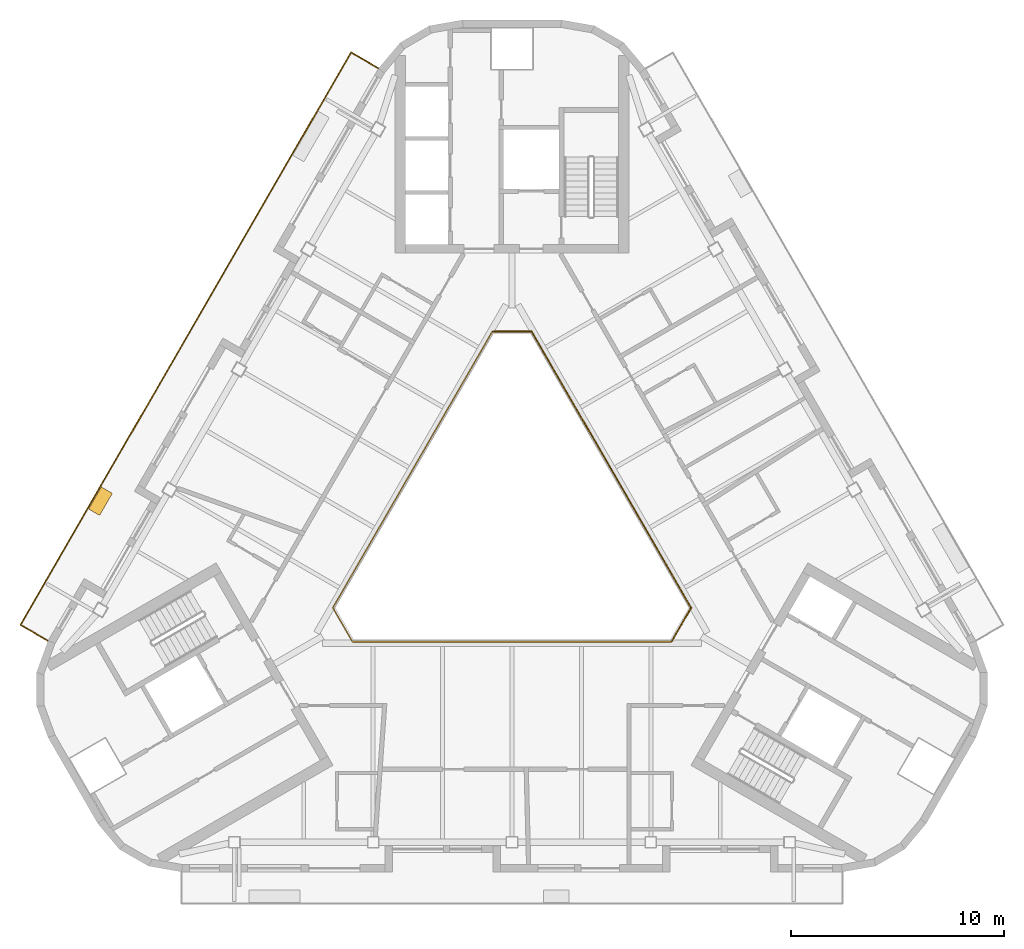
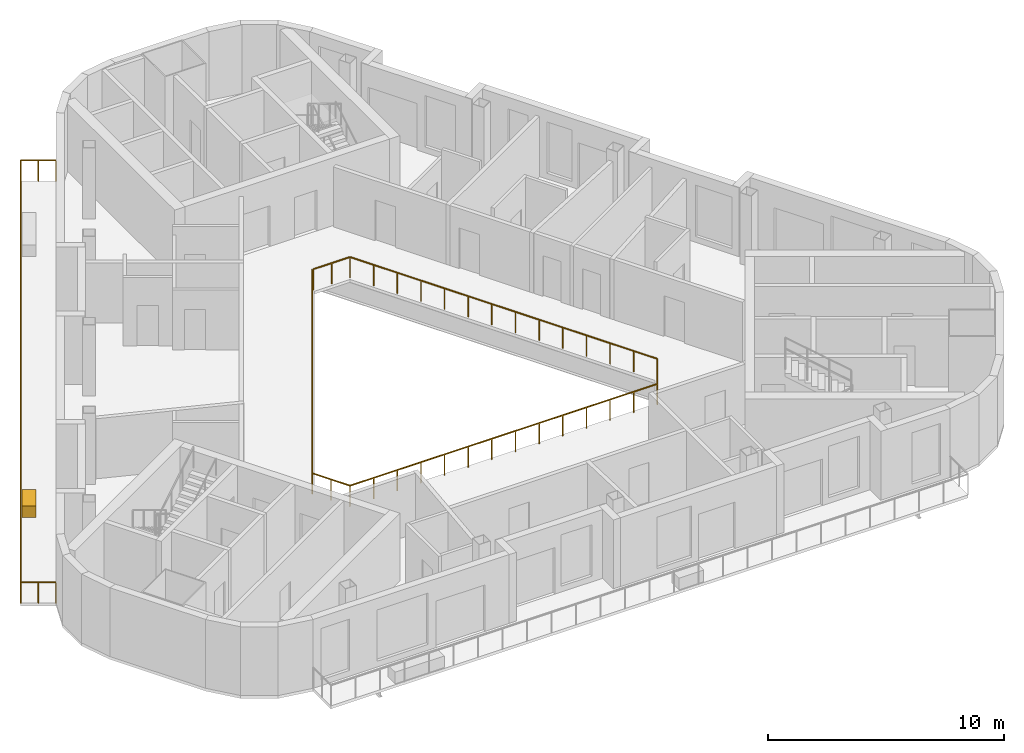
# One storey, part 9 of 11: 3 railings, 1 covering.
"""IFC4 building model written with IfcOpenShell, lengths in metres."""

from ifc_helpers import new_model, si_unit, direction, frame, origin, origin_2d, place, context, subcontext, project, spatial, rectangle, extrude, material, type_object, element, save


model = new_model("IFC4")

# Units and contexts
model_context = context("Model", 3, precision=1e-05, world=origin(), true_north=direction((0.0, 1.0)))
body_context = subcontext(model_context, "Body", "Model", "MODEL_VIEW")
ifc_project = project(units=[si_unit("LENGTHUNIT", "METRE"), si_unit("AREAUNIT", "SQUARE_METRE"), si_unit("VOLUMEUNIT", "CUBIC_METRE"), si_unit("PLANEANGLEUNIT", "RADIAN"), si_unit("MASSUNIT", "GRAM", prefix="KILO")], contexts=[model_context])

# Site, building, storey
site_placement = place(None, origin())
site = spatial("IfcSite", under=ifc_project, at=site_placement, CompositionType="ELEMENT")
building_placement = place(site_placement, origin())
building = spatial("IfcBuilding", under=site, at=building_placement, Name="Apuvela Tower Hotel", CompositionType="ELEMENT")
storey_placement = place(building_placement, frame((0.0, 0.0, 317.0)))
storey = spatial("IfcBuildingStorey", under=building, at=storey_placement, Name="L79", CompositionType="ELEMENT", Elevation=317.0)

# Railings
ifc_material_1 = material(Name="Stainless steel 316 rail with laminated glass infill", Category="steel")
railing_type = type_object("IfcRailingType", Name="ENV-GUARD-1100", PredefinedType="GUARDRAIL", material=ifc_material_1)
railing_1_placement = place(storey_placement, frame((-6.276123046875, 21.584228515625, 0.0)))
element("IfcRailing", 1, at=railing_1_placement, inside=storey, type_object=railing_type, Name="Balcony guard NW L79", PredefinedType="GUARDRAIL", context=body_context, shape_type="SweptSolid", body=[
    extrude(rectangle(XDim=0.050048828125, YDim=0.050048828125, at=origin_2d()), frame((0.0, 0.0, 1.0751953125), z_axis=(-0.866031096941, 0.499990139034, 0.0), x_axis=(-0.499990139034, -0.866031096941, 0.0)), (0.0, 0.0, 1.0), 1.5),
    extrude(rectangle(XDim=0.050048828125, YDim=0.050048828125, at=origin_2d()), frame((-1.299072265625, 0.75, 1.0751953125), z_axis=(-0.500002341412, -0.866024051966, 0.0), x_axis=(0.866024051966, -0.500002341412, 0.0)), (0.0, 0.0, 1.0), 31.108642578125),
    extrude(rectangle(XDim=0.050048828125, YDim=0.050048828125, at=origin_2d()), frame((-16.853515625, -26.19091796875, 1.0751953125), z_axis=(0.866031096941, -0.499990139034, 0.0), x_axis=(0.499990139034, 0.866031096941, 0.0)), (0.0, 0.0, 1.0), 1.5),
    extrude(rectangle(XDim=0.0400390625, YDim=0.0400390625, at=origin_2d()), origin(), (0.0, 0.0, 1.0), 1.050048828125),
    extrude(rectangle(XDim=0.0400390625, YDim=0.0400390625, at=origin_2d()), frame((-0.6494140625, 0.375, 0.0)), (0.0, 0.0, 1.0), 1.050048828125),
    extrude(rectangle(XDim=0.0400390625, YDim=0.0400390625, at=origin_2d()), frame((-1.299072265625, 0.75, 0.0)), (0.0, 0.0, 1.0), 1.050048828125),
    extrude(rectangle(XDim=0.0400390625, YDim=0.0400390625, at=origin_2d()), frame((-1.897216796875, -0.2861328125, 0.0)), (0.0, 0.0, 1.0), 1.050048828125),
    extrude(rectangle(XDim=0.0400390625, YDim=0.0400390625, at=origin_2d()), frame((-2.49560546875, -1.322265625, 0.0)), (0.0, 0.0, 1.0), 1.050048828125),
    extrude(rectangle(XDim=0.0400390625, YDim=0.0400390625, at=origin_2d()), frame((-3.09375, -2.358642578125, 0.0)), (0.0, 0.0, 1.0), 1.050048828125),
    extrude(rectangle(XDim=0.0400390625, YDim=0.0400390625, at=origin_2d()), frame((-3.692138671875, -3.394775390625, 0.0)), (0.0, 0.0, 1.0), 1.050048828125),
    extrude(rectangle(XDim=0.0400390625, YDim=0.0400390625, at=origin_2d()), frame((-4.290283203125, -4.430908203125, 0.0)), (0.0, 0.0, 1.0), 1.050048828125),
    extrude(rectangle(XDim=0.0400390625, YDim=0.0400390625, at=origin_2d()), frame((-4.888671875, -5.467041015625, 0.0)), (0.0, 0.0, 1.0), 1.050048828125),
    extrude(rectangle(XDim=0.0400390625, YDim=0.0400390625, at=origin_2d()), frame((-5.48681640625, -6.50341796875, 0.0)), (0.0, 0.0, 1.0), 1.050048828125),
    extrude(rectangle(XDim=0.0400390625, YDim=0.0400390625, at=origin_2d()), frame((-6.0849609375, -7.53955078125, 0.0)), (0.0, 0.0, 1.0), 1.050048828125),
    extrude(rectangle(XDim=0.0400390625, YDim=0.0400390625, at=origin_2d()), frame((-6.683349609375, -8.57568359375, 0.0)), (0.0, 0.0, 1.0), 1.050048828125),
    extrude(rectangle(XDim=0.0400390625, YDim=0.0400390625, at=origin_2d()), frame((-7.281494140625, -9.61181640625, 0.0)), (0.0, 0.0, 1.0), 1.050048828125),
    extrude(rectangle(XDim=0.0400390625, YDim=0.0400390625, at=origin_2d()), frame((-7.8798828125, -10.648193359375, 0.0)), (0.0, 0.0, 1.0), 1.050048828125),
    extrude(rectangle(XDim=0.0400390625, YDim=0.0400390625, at=origin_2d()), frame((-8.47802734375, -11.684326171875, 0.0)), (0.0, 0.0, 1.0), 1.050048828125),
    extrude(rectangle(XDim=0.0400390625, YDim=0.0400390625, at=origin_2d()), frame((-9.076171875, -12.720458984375, 0.0)), (0.0, 0.0, 1.0), 1.050048828125),
    extrude(rectangle(XDim=0.0400390625, YDim=0.0400390625, at=origin_2d()), frame((-9.674560546875, -13.756591796875, 0.0)), (0.0, 0.0, 1.0), 1.050048828125),
    extrude(rectangle(XDim=0.0400390625, YDim=0.0400390625, at=origin_2d()), frame((-10.272705078125, -14.792724609375, 0.0)), (0.0, 0.0, 1.0), 1.050048828125),
    extrude(rectangle(XDim=0.0400390625, YDim=0.0400390625, at=origin_2d()), frame((-10.87109375, -15.8291015625, 0.0)), (0.0, 0.0, 1.0), 1.050048828125),
    extrude(rectangle(XDim=0.0400390625, YDim=0.0400390625, at=origin_2d()), frame((-11.46923828125, -16.865234375, 0.0)), (0.0, 0.0, 1.0), 1.050048828125),
    extrude(rectangle(XDim=0.0400390625, YDim=0.0400390625, at=origin_2d()), frame((-12.067626953125, -17.9013671875, 0.0)), (0.0, 0.0, 1.0), 1.050048828125),
    extrude(rectangle(XDim=0.0400390625, YDim=0.0400390625, at=origin_2d()), frame((-12.665771484375, -18.9375, 0.0)), (0.0, 0.0, 1.0), 1.050048828125),
    extrude(rectangle(XDim=0.0400390625, YDim=0.0400390625, at=origin_2d()), frame((-13.263916015625, -19.973876953125, 0.0)), (0.0, 0.0, 1.0), 1.050048828125),
    extrude(rectangle(XDim=0.0400390625, YDim=0.0400390625, at=origin_2d()), frame((-13.8623046875, -21.010009765625, 0.0)), (0.0, 0.0, 1.0), 1.050048828125),
    extrude(rectangle(XDim=0.0400390625, YDim=0.0400390625, at=origin_2d()), frame((-14.46044921875, -22.046142578125, 0.0)), (0.0, 0.0, 1.0), 1.050048828125),
    extrude(rectangle(XDim=0.0400390625, YDim=0.0400390625, at=origin_2d()), frame((-15.058837890625, -23.082275390625, 0.0)), (0.0, 0.0, 1.0), 1.050048828125),
    extrude(rectangle(XDim=0.0400390625, YDim=0.0400390625, at=origin_2d()), frame((-15.656982421875, -24.11865234375, 0.0)), (0.0, 0.0, 1.0), 1.050048828125),
    extrude(rectangle(XDim=0.0400390625, YDim=0.0400390625, at=origin_2d()), frame((-16.25537109375, -25.15478515625, 0.0)), (0.0, 0.0, 1.0), 1.050048828125),
    extrude(rectangle(XDim=0.0400390625, YDim=0.0400390625, at=origin_2d()), frame((-16.853515625, -26.19091796875, 0.0)), (0.0, 0.0, 1.0), 1.050048828125),
    extrude(rectangle(XDim=0.0400390625, YDim=0.0400390625, at=origin_2d()), frame((-16.2041015625, -26.56591796875, 0.0)), (0.0, 0.0, 1.0), 1.050048828125),
    extrude(rectangle(XDim=0.0400390625, YDim=0.0400390625, at=origin_2d()), frame((-15.554443359375, -26.94091796875, 0.0)), (0.0, 0.0, 1.0), 1.050048828125),
])
railing_2_placement = place(storey_placement, frame((-0.923828125, 9.199951171875, 0.0)))
element("IfcRailing", 2, at=railing_2_placement, inside=storey, type_object=railing_type, Name="Atrium void guard A L79", PredefinedType="GUARDRAIL", context=body_context, shape_type="SweptSolid", body=[
    extrude(rectangle(XDim=0.050048828125, YDim=0.050048828125, at=origin_2d()), frame((0.0, 0.0, 1.0751953125), z_axis=(-0.499990886379, -0.866030665472, 0.0), x_axis=(0.866030665472, -0.499990886379, 0.0)), (0.0, 0.0, 1.0), 15.010986328125),
    extrude(rectangle(XDim=0.050048828125, YDim=0.050048828125, at=origin_2d()), frame((-7.50537109375, -13.0, 1.0751953125), z_axis=(0.499962699187, -0.866046938348, 0.0), x_axis=(0.866046938348, 0.499962699187, 0.0)), (0.0, 0.0, 1.0), 1.847412109375),
    extrude(rectangle(XDim=0.050048828125, YDim=0.050048828125, at=origin_2d()), frame((-6.581787109375, -14.599853515625, 1.0751953125), z_axis=(1.0, 0.0, 0.0), x_axis=(0.0, 1.0, 0.0)), (0.0, 0.0, 1.0), 15.01123046875),
    extrude(rectangle(XDim=0.0400390625, YDim=0.0400390625, at=origin_2d()), origin(), (0.0, 0.0, 1.0), 1.050048828125),
    extrude(rectangle(XDim=0.0400390625, YDim=0.0400390625, at=origin_2d()), frame((-0.577392578125, -1.0, 0.0)), (0.0, 0.0, 1.0), 1.050048828125),
    extrude(rectangle(XDim=0.0400390625, YDim=0.0400390625, at=origin_2d()), frame((-1.15478515625, -2.0, 0.0)), (0.0, 0.0, 1.0), 1.050048828125),
    extrude(rectangle(XDim=0.0400390625, YDim=0.0400390625, at=origin_2d()), frame((-1.73193359375, -3.0, 0.0)), (0.0, 0.0, 1.0), 1.050048828125),
    extrude(rectangle(XDim=0.0400390625, YDim=0.0400390625, at=origin_2d()), frame((-2.309326171875, -4.0, 0.0)), (0.0, 0.0, 1.0), 1.050048828125),
    extrude(rectangle(XDim=0.0400390625, YDim=0.0400390625, at=origin_2d()), frame((-2.88671875, -5.0, 0.0)), (0.0, 0.0, 1.0), 1.050048828125),
    extrude(rectangle(XDim=0.0400390625, YDim=0.0400390625, at=origin_2d()), frame((-3.464111328125, -6.0, 0.0)), (0.0, 0.0, 1.0), 1.050048828125),
    extrude(rectangle(XDim=0.0400390625, YDim=0.0400390625, at=origin_2d()), frame((-4.041259765625, -7.0, 0.0)), (0.0, 0.0, 1.0), 1.050048828125),
    extrude(rectangle(XDim=0.0400390625, YDim=0.0400390625, at=origin_2d()), frame((-4.61865234375, -8.0, 0.0)), (0.0, 0.0, 1.0), 1.050048828125),
    extrude(rectangle(XDim=0.0400390625, YDim=0.0400390625, at=origin_2d()), frame((-5.196044921875, -9.0, 0.0)), (0.0, 0.0, 1.0), 1.050048828125),
    extrude(rectangle(XDim=0.0400390625, YDim=0.0400390625, at=origin_2d()), frame((-5.7734375, -10.0, 0.0)), (0.0, 0.0, 1.0), 1.050048828125),
    extrude(rectangle(XDim=0.0400390625, YDim=0.0400390625, at=origin_2d()), frame((-6.3505859375, -11.0, 0.0)), (0.0, 0.0, 1.0), 1.050048828125),
    extrude(rectangle(XDim=0.0400390625, YDim=0.0400390625, at=origin_2d()), frame((-6.927978515625, -12.0, 0.0)), (0.0, 0.0, 1.0), 1.050048828125),
    extrude(rectangle(XDim=0.0400390625, YDim=0.0400390625, at=origin_2d()), frame((-7.50537109375, -13.0, 0.0)), (0.0, 0.0, 1.0), 1.050048828125),
    extrude(rectangle(XDim=0.0400390625, YDim=0.0400390625, at=origin_2d()), frame((-7.04345703125, -13.7998046875, 0.0)), (0.0, 0.0, 1.0), 1.050048828125),
    extrude(rectangle(XDim=0.0400390625, YDim=0.0400390625, at=origin_2d()), frame((-6.581787109375, -14.599853515625, 0.0)), (0.0, 0.0, 1.0), 1.050048828125),
    extrude(rectangle(XDim=0.0400390625, YDim=0.0400390625, at=origin_2d()), frame((-5.427001953125, -14.599853515625, 0.0)), (0.0, 0.0, 1.0), 1.050048828125),
    extrude(rectangle(XDim=0.0400390625, YDim=0.0400390625, at=origin_2d()), frame((-4.2724609375, -14.599853515625, 0.0)), (0.0, 0.0, 1.0), 1.050048828125),
    extrude(rectangle(XDim=0.0400390625, YDim=0.0400390625, at=origin_2d()), frame((-3.11767578125, -14.599853515625, 0.0)), (0.0, 0.0, 1.0), 1.050048828125),
    extrude(rectangle(XDim=0.0400390625, YDim=0.0400390625, at=origin_2d()), frame((-1.962890625, -14.599853515625, 0.0)), (0.0, 0.0, 1.0), 1.050048828125),
    extrude(rectangle(XDim=0.0400390625, YDim=0.0400390625, at=origin_2d()), frame((-0.808349609375, -14.599853515625, 0.0)), (0.0, 0.0, 1.0), 1.050048828125),
    extrude(rectangle(XDim=0.0400390625, YDim=0.0400390625, at=origin_2d()), frame((0.346435546875, -14.599853515625, 0.0)), (0.0, 0.0, 1.0), 1.050048828125),
    extrude(rectangle(XDim=0.0400390625, YDim=0.0400390625, at=origin_2d()), frame((1.501220703125, -14.599853515625, 0.0)), (0.0, 0.0, 1.0), 1.050048828125),
    extrude(rectangle(XDim=0.0400390625, YDim=0.0400390625, at=origin_2d()), frame((2.656005859375, -14.599853515625, 0.0)), (0.0, 0.0, 1.0), 1.050048828125),
    extrude(rectangle(XDim=0.0400390625, YDim=0.0400390625, at=origin_2d()), frame((3.810546875, -14.599853515625, 0.0)), (0.0, 0.0, 1.0), 1.050048828125),
    extrude(rectangle(XDim=0.0400390625, YDim=0.0400390625, at=origin_2d()), frame((4.96533203125, -14.599853515625, 0.0)), (0.0, 0.0, 1.0), 1.050048828125),
    extrude(rectangle(XDim=0.0400390625, YDim=0.0400390625, at=origin_2d()), frame((6.1201171875, -14.599853515625, 0.0)), (0.0, 0.0, 1.0), 1.050048828125),
    extrude(rectangle(XDim=0.0400390625, YDim=0.0400390625, at=origin_2d()), frame((7.274658203125, -14.599853515625, 0.0)), (0.0, 0.0, 1.0), 1.050048828125),
    extrude(rectangle(XDim=0.0400390625, YDim=0.0400390625, at=origin_2d()), frame((8.429443359375, -14.599853515625, 0.0)), (0.0, 0.0, 1.0), 1.050048828125),
])
railing_3_placement = place(storey_placement, frame((7.53564453125, -5.347900390625, 0.0)))
element("IfcRailing", 3, at=railing_3_placement, inside=storey, type_object=railing_type, Name="Atrium void guard B L79", PredefinedType="GUARDRAIL", context=body_context, shape_type="SweptSolid", body=[
    extrude(rectangle(XDim=0.050048828125, YDim=0.050048828125, at=origin_2d()), frame((0.0, 0.0, 1.0751953125), z_axis=(0.499958946799, 0.866049104564, 0.0), x_axis=(-0.866049104564, 0.499958946799, 0.0)), (0.0, 0.0, 1.0), 1.787353515625),
    extrude(rectangle(XDim=0.050048828125, YDim=0.050048828125, at=origin_2d()), frame((0.8935546875, 1.5478515625, 1.0751953125), z_axis=(-0.499990886379, 0.866030665472, 0.0), x_axis=(-0.866030665472, -0.499990886379, 0.0)), (0.0, 0.0, 1.0), 15.010986328125),
    extrude(rectangle(XDim=0.050048828125, YDim=0.050048828125, at=origin_2d()), frame((-6.61181640625, 14.5478515625, 1.0751953125), z_axis=(-1.0, 0.0, 0.0), x_axis=(0.0, -1.0, 0.0)), (0.0, 0.0, 1.0), 1.78759765625),
    extrude(rectangle(XDim=0.0400390625, YDim=0.0400390625, at=origin_2d()), origin(), (0.0, 0.0, 1.0), 1.050048828125),
    extrude(rectangle(XDim=0.0400390625, YDim=0.0400390625, at=origin_2d()), frame((0.44677734375, 0.77392578125, 0.0)), (0.0, 0.0, 1.0), 1.050048828125),
    extrude(rectangle(XDim=0.0400390625, YDim=0.0400390625, at=origin_2d()), frame((0.8935546875, 1.5478515625, 0.0)), (0.0, 0.0, 1.0), 1.050048828125),
    extrude(rectangle(XDim=0.0400390625, YDim=0.0400390625, at=origin_2d()), frame((0.316162109375, 2.5478515625, 0.0)), (0.0, 0.0, 1.0), 1.050048828125),
    extrude(rectangle(XDim=0.0400390625, YDim=0.0400390625, at=origin_2d()), frame((-0.26123046875, 3.5478515625, 0.0)), (0.0, 0.0, 1.0), 1.050048828125),
    extrude(rectangle(XDim=0.0400390625, YDim=0.0400390625, at=origin_2d()), frame((-0.83837890625, 4.5478515625, 0.0)), (0.0, 0.0, 1.0), 1.050048828125),
    extrude(rectangle(XDim=0.0400390625, YDim=0.0400390625, at=origin_2d()), frame((-1.415771484375, 5.5478515625, 0.0)), (0.0, 0.0, 1.0), 1.050048828125),
    extrude(rectangle(XDim=0.0400390625, YDim=0.0400390625, at=origin_2d()), frame((-1.9931640625, 6.5478515625, 0.0)), (0.0, 0.0, 1.0), 1.050048828125),
    extrude(rectangle(XDim=0.0400390625, YDim=0.0400390625, at=origin_2d()), frame((-2.570556640625, 7.5478515625, 0.0)), (0.0, 0.0, 1.0), 1.050048828125),
    extrude(rectangle(XDim=0.0400390625, YDim=0.0400390625, at=origin_2d()), frame((-3.147705078125, 8.5478515625, 0.0)), (0.0, 0.0, 1.0), 1.050048828125),
    extrude(rectangle(XDim=0.0400390625, YDim=0.0400390625, at=origin_2d()), frame((-3.72509765625, 9.5478515625, 0.0)), (0.0, 0.0, 1.0), 1.050048828125),
    extrude(rectangle(XDim=0.0400390625, YDim=0.0400390625, at=origin_2d()), frame((-4.302490234375, 10.5478515625, 0.0)), (0.0, 0.0, 1.0), 1.050048828125),
    extrude(rectangle(XDim=0.0400390625, YDim=0.0400390625, at=origin_2d()), frame((-4.8798828125, 11.5478515625, 0.0)), (0.0, 0.0, 1.0), 1.050048828125),
    extrude(rectangle(XDim=0.0400390625, YDim=0.0400390625, at=origin_2d()), frame((-5.45703125, 12.5478515625, 0.0)), (0.0, 0.0, 1.0), 1.050048828125),
    extrude(rectangle(XDim=0.0400390625, YDim=0.0400390625, at=origin_2d()), frame((-6.034423828125, 13.5478515625, 0.0)), (0.0, 0.0, 1.0), 1.050048828125),
    extrude(rectangle(XDim=0.0400390625, YDim=0.0400390625, at=origin_2d()), frame((-6.61181640625, 14.5478515625, 0.0)), (0.0, 0.0, 1.0), 1.050048828125),
    extrude(rectangle(XDim=0.0400390625, YDim=0.0400390625, at=origin_2d()), frame((-7.505615234375, 14.5478515625, 0.0)), (0.0, 0.0, 1.0), 1.050048828125),
    extrude(rectangle(XDim=0.0400390625, YDim=0.0400390625, at=origin_2d()), frame((-8.3994140625, 14.5478515625, 0.0)), (0.0, 0.0, 1.0), 1.050048828125),
])

# Covering
ifc_material_2 = material(Name="Planting substrate and soil, planted")
covering_type = type_object("IfcCoveringType", Name="ENV-PLANTER-1200x600", PredefinedType="USERDEFINED", material=ifc_material_2)
covering_placement = place(storey_placement, frame((-19.36474609375, 1.21435546875, 0.0), z_axis=(0.0, 0.0, 1.0), x_axis=(-0.5, -0.866025403784, 0.0)))
element("IfcCovering", 4, at=covering_placement, inside=storey, type_object=covering_type, Name="Planter NW6", ObjectType="PLANTER", PredefinedType="USERDEFINED", context=body_context, shape_type="SweptSolid", body=[
    extrude(rectangle(XDim=1.199951171875, YDim=0.60009765625, at=origin_2d()), origin(), (0.0, 0.0, 1.0), 0.60009765625),
])

save(model, "model.ifc")
